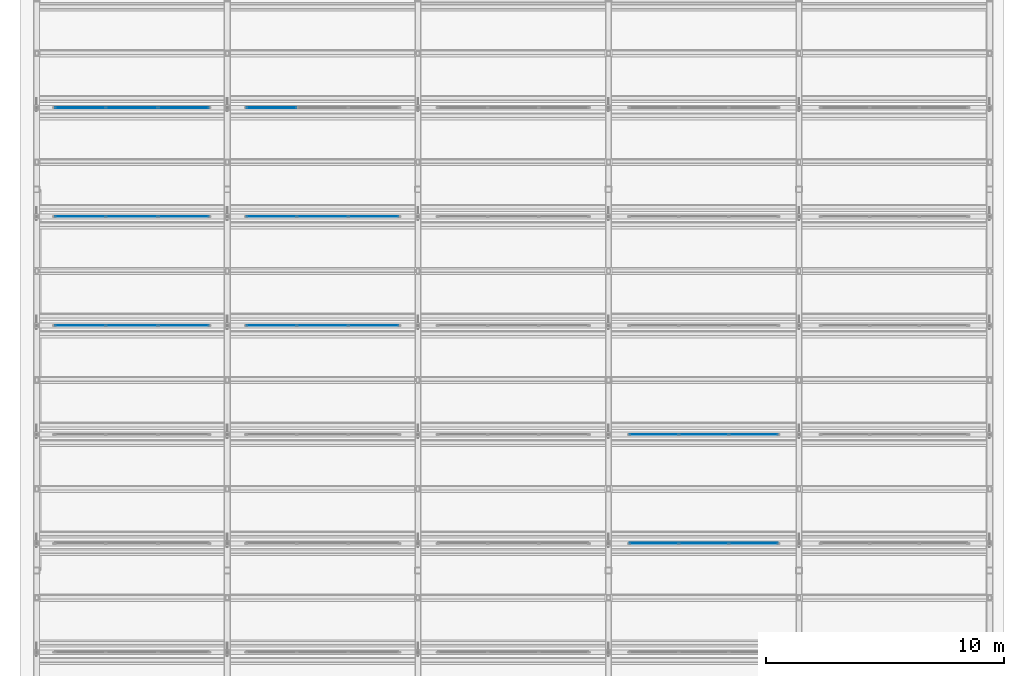
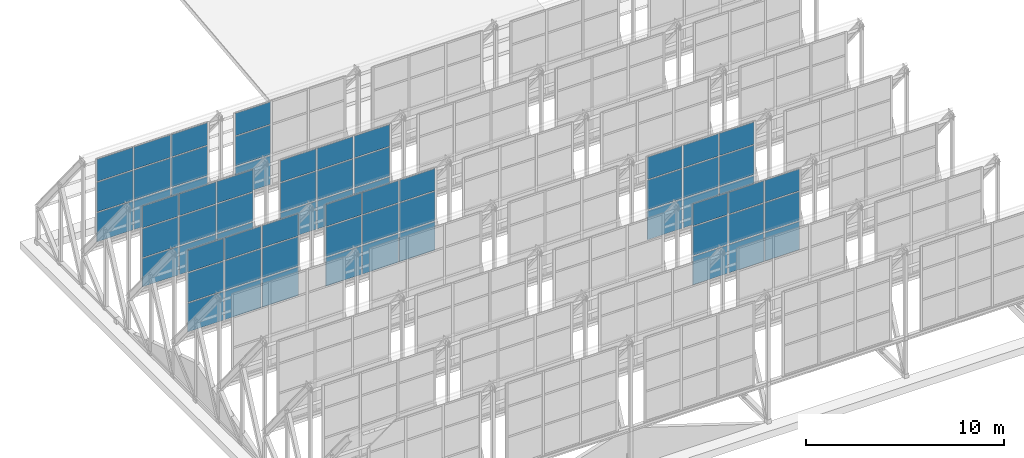
# One storey, part 28 of 34: 66 plates, 8 elements without a shape of their own.
"""IFC4 building model written with IfcOpenShell, lengths in metres."""

from ifc_helpers import new_model, si_unit, direction, frame, origin, origin_2d, place, context, subcontext, project, spatial, rectangle, extrude, material, layer, layer_set, type_object, element, aggregate, save


model = new_model("IFC4")

# Units and contexts
model_context = context("Model", 3, precision=1e-05, world=origin(), true_north=direction((0.0, 1.0)))
body_context = subcontext(model_context, "Body", "Model", "MODEL_VIEW")
ifc_project = project(units=[si_unit("LENGTHUNIT", "METRE"), si_unit("AREAUNIT", "SQUARE_METRE"), si_unit("VOLUMEUNIT", "CUBIC_METRE"), si_unit("PLANEANGLEUNIT", "RADIAN"), si_unit("MASSUNIT", "GRAM", prefix="KILO")], contexts=[model_context])

# Site, building, storey
site_placement = place(None, origin())
site = spatial("IfcSite", under=ifc_project, at=site_placement, CompositionType="ELEMENT")
building_placement = place(site_placement, origin())
building = spatial("IfcBuilding", under=site, at=building_placement, Name="Qorikala Patio Media Centre", CompositionType="ELEMENT")
storey_placement = place(building_placement, frame((0.0, 0.0, 32.699951171875)))
storey = spatial("IfcBuildingStorey", under=building, at=storey_placement, Name="RF", CompositionType="ELEMENT", Elevation=32.699951171875)

# Curtain wall, plates
ifc_material_1 = material(Name="Bronze Anodised Aluminium and Low-E Glass", Category="aluminium")
ifc_layer_1 = layer(ifc_material_1, 0.159912109375)
ifc_layer_set_1 = layer_set([ifc_layer_1], Name="Bronze Anodised Aluminium and Low-E Glass")
curtain_wall_type_1 = type_object("IfcCurtainWallType", Name="CW-SAW-632X508", PredefinedType="USERDEFINED", material=ifc_layer_set_1)
curtain_wall_1_placement = place(storey_placement, origin())
curtain_wall_1 = element("IfcCurtainWall", 1, at=curtain_wall_1_placement, inside=storey, type_object=curtain_wall_type_1, Name="RF Sawtooth Glazing 120", ObjectType="SAWTOOTH GLAZING", PredefinedType="USERDEFINED")
ifc_material_2 = material(Name="Acoustic Laminated Low-E Glass", Category="glass")
ifc_layer_2 = layer(ifc_material_2, 0.031982421875)
ifc_layer_set_2 = layer_set([ifc_layer_2], Name="Acoustic Laminated Low-E Glass")
plate_type = type_object("IfcPlateType", Name="CWP-32", PredefinedType="CURTAIN_PANEL", material=ifc_layer_set_2)
plate_1_placement = place(storey_placement, frame((28.908447265625, 12.142822265625, 2.81005859375), z_axis=(0.0, 0.0, 1.0), x_axis=(1.0, 0.0, 0.0)))
plate_1 = element("IfcPlate", 2, at=plate_1_placement, type_object=plate_type, Name="CWS632508 panel 1.1", PredefinedType="CURTAIN_PANEL", context=body_context, shape_type="SweptSolid", body=[
    extrude(rectangle(XDim=2.0166015625, YDim=0.031982421875, at=origin_2d()), origin(), (0.0, 0.0, 1.0), 1.73876953125),
])
plate_2_placement = place(storey_placement, frame((28.908447265625, 12.142822265625, 4.60888671875), z_axis=(0.0, 0.0, 1.0), x_axis=(1.0, 0.0, 0.0)))
plate_2 = element("IfcPlate", 3, at=plate_2_placement, type_object=plate_type, Name="CWS632508 panel 1.2", PredefinedType="CURTAIN_PANEL", context=body_context, shape_type="SweptSolid", body=[
    extrude(rectangle(XDim=2.0166015625, YDim=0.031982421875, at=origin_2d()), origin(), (0.0, 0.0, 1.0), 1.768798828125),
])
plate_3_placement = place(storey_placement, frame((28.908447265625, 12.142822265625, 6.4375), z_axis=(0.0, 0.0, 1.0), x_axis=(1.0, 0.0, 0.0)))
plate_3 = element("IfcPlate", 4, at=plate_3_placement, type_object=plate_type, Name="CWS632508 panel 1.3", PredefinedType="CURTAIN_PANEL", context=body_context, shape_type="SweptSolid", body=[
    extrude(rectangle(XDim=2.0166015625, YDim=0.031982421875, at=origin_2d()), origin(), (0.0, 0.0, 1.0), 1.33251953125),
])
plate_4_placement = place(storey_placement, frame((31.0, 12.142822265625, 2.81005859375), z_axis=(0.0, 0.0, 1.0), x_axis=(1.0, 0.0, 0.0)))
plate_4 = element("IfcPlate", 5, at=plate_4_placement, type_object=plate_type, Name="CWS632508 panel 2.1", PredefinedType="CURTAIN_PANEL", context=body_context, shape_type="SweptSolid", body=[
    extrude(rectangle(XDim=2.046630859375, YDim=0.031982421875, at=origin_2d()), origin(), (0.0, 0.0, 1.0), 1.73876953125),
])
plate_5_placement = place(storey_placement, frame((31.0, 12.142822265625, 4.60888671875), z_axis=(0.0, 0.0, 1.0), x_axis=(1.0, 0.0, 0.0)))
plate_5 = element("IfcPlate", 6, at=plate_5_placement, type_object=plate_type, Name="CWS632508 panel 2.2", PredefinedType="CURTAIN_PANEL", context=body_context, shape_type="SweptSolid", body=[
    extrude(rectangle(XDim=2.046630859375, YDim=0.031982421875, at=origin_2d()), origin(), (0.0, 0.0, 1.0), 1.768798828125),
])
plate_6_placement = place(storey_placement, frame((31.0, 12.142822265625, 6.4375), z_axis=(0.0, 0.0, 1.0), x_axis=(1.0, 0.0, 0.0)))
plate_6 = element("IfcPlate", 7, at=plate_6_placement, type_object=plate_type, Name="CWS632508 panel 2.3", PredefinedType="CURTAIN_PANEL", context=body_context, shape_type="SweptSolid", body=[
    extrude(rectangle(XDim=2.046630859375, YDim=0.031982421875, at=origin_2d()), origin(), (0.0, 0.0, 1.0), 1.33251953125),
])
plate_7_placement = place(storey_placement, frame((33.091552734375, 12.142822265625, 2.81005859375), z_axis=(0.0, 0.0, 1.0), x_axis=(1.0, 0.0, 0.0)))
plate_7 = element("IfcPlate", 8, at=plate_7_placement, type_object=plate_type, Name="CWS632508 panel 3.1", PredefinedType="CURTAIN_PANEL", context=body_context, shape_type="SweptSolid", body=[
    extrude(rectangle(XDim=2.0166015625, YDim=0.031982421875, at=origin_2d()), origin(), (0.0, 0.0, 1.0), 1.73876953125),
])
plate_8_placement = place(storey_placement, frame((33.091552734375, 12.142822265625, 4.60888671875), z_axis=(0.0, 0.0, 1.0), x_axis=(1.0, 0.0, 0.0)))
plate_8 = element("IfcPlate", 9, at=plate_8_placement, type_object=plate_type, Name="CWS632508 panel 3.2", PredefinedType="CURTAIN_PANEL", context=body_context, shape_type="SweptSolid", body=[
    extrude(rectangle(XDim=2.0166015625, YDim=0.031982421875, at=origin_2d()), origin(), (0.0, 0.0, 1.0), 1.768798828125),
])
plate_9_placement = place(storey_placement, frame((33.091552734375, 12.142822265625, 6.4375), z_axis=(0.0, 0.0, 1.0), x_axis=(1.0, 0.0, 0.0)))
plate_9 = element("IfcPlate", 10, at=plate_9_placement, type_object=plate_type, Name="CWS632508 panel 3.3", PredefinedType="CURTAIN_PANEL", context=body_context, shape_type="SweptSolid", body=[
    extrude(rectangle(XDim=2.0166015625, YDim=0.031982421875, at=origin_2d()), origin(), (0.0, 0.0, 1.0), 1.33251953125),
])
aggregate(curtain_wall_1, [plate_1, plate_2, plate_3, plate_4, plate_5, plate_6, plate_7, plate_8, plate_9])

ifc_layer_3 = layer(ifc_material_1, 0.159912109375)
ifc_layer_set_3 = layer_set([ifc_layer_3], Name="Bronze Anodised Aluminium and Low-E Glass")
curtain_wall_type_2 = type_object("IfcCurtainWallType", Name="CW-SAW-632X520", PredefinedType="USERDEFINED", material=ifc_layer_set_3)
curtain_wall_2_placement = place(storey_placement, origin())
curtain_wall_2 = element("IfcCurtainWall", 11, at=curtain_wall_2_placement, inside=storey, type_object=curtain_wall_type_2, Name="RF Sawtooth Glazing 125", ObjectType="SAWTOOTH GLAZING", PredefinedType="USERDEFINED")
plate_10_placement = place(storey_placement, frame((28.908447265625, 16.71435546875, 2.81005859375), z_axis=(0.0, 0.0, 1.0), x_axis=(1.0, 0.0, 0.0)))
plate_10 = element("IfcPlate", 12, at=plate_10_placement, type_object=plate_type, Name="CWS632520 panel 1.1", PredefinedType="CURTAIN_PANEL", context=body_context, shape_type="SweptSolid", body=[
    extrude(rectangle(XDim=2.0166015625, YDim=0.031982421875, at=origin_2d()), origin(), (0.0, 0.0, 1.0), 1.781982421875),
])
plate_11_placement = place(storey_placement, frame((28.908447265625, 16.71435546875, 4.652099609375), z_axis=(0.0, 0.0, 1.0), x_axis=(1.0, 0.0, 0.0)))
plate_11 = element("IfcPlate", 13, at=plate_11_placement, type_object=plate_type, Name="CWS632520 panel 1.2", PredefinedType="CURTAIN_PANEL", context=body_context, shape_type="SweptSolid", body=[
    extrude(rectangle(XDim=2.0166015625, YDim=0.031982421875, at=origin_2d()), origin(), (0.0, 0.0, 1.0), 1.81201171875),
])
plate_12_placement = place(storey_placement, frame((28.908447265625, 16.71435546875, 6.52392578125), z_axis=(0.0, 0.0, 1.0), x_axis=(1.0, 0.0, 0.0)))
plate_12 = element("IfcPlate", 14, at=plate_12_placement, type_object=plate_type, Name="CWS632520 panel 1.3", PredefinedType="CURTAIN_PANEL", context=body_context, shape_type="SweptSolid", body=[
    extrude(rectangle(XDim=2.0166015625, YDim=0.031982421875, at=origin_2d()), origin(), (0.0, 0.0, 1.0), 1.365966796875),
])
plate_13_placement = place(storey_placement, frame((31.0, 16.71435546875, 2.81005859375), z_axis=(0.0, 0.0, 1.0), x_axis=(1.0, 0.0, 0.0)))
plate_13 = element("IfcPlate", 15, at=plate_13_placement, type_object=plate_type, Name="CWS632520 panel 2.1", PredefinedType="CURTAIN_PANEL", context=body_context, shape_type="SweptSolid", body=[
    extrude(rectangle(XDim=2.046630859375, YDim=0.031982421875, at=origin_2d()), origin(), (0.0, 0.0, 1.0), 1.781982421875),
])
plate_14_placement = place(storey_placement, frame((31.0, 16.71435546875, 4.652099609375), z_axis=(0.0, 0.0, 1.0), x_axis=(1.0, 0.0, 0.0)))
plate_14 = element("IfcPlate", 16, at=plate_14_placement, type_object=plate_type, Name="CWS632520 panel 2.2", PredefinedType="CURTAIN_PANEL", context=body_context, shape_type="SweptSolid", body=[
    extrude(rectangle(XDim=2.046630859375, YDim=0.031982421875, at=origin_2d()), origin(), (0.0, 0.0, 1.0), 1.81201171875),
])
plate_15_placement = place(storey_placement, frame((31.0, 16.71435546875, 6.52392578125), z_axis=(0.0, 0.0, 1.0), x_axis=(1.0, 0.0, 0.0)))
plate_15 = element("IfcPlate", 17, at=plate_15_placement, type_object=plate_type, Name="CWS632520 panel 2.3", PredefinedType="CURTAIN_PANEL", context=body_context, shape_type="SweptSolid", body=[
    extrude(rectangle(XDim=2.046630859375, YDim=0.031982421875, at=origin_2d()), origin(), (0.0, 0.0, 1.0), 1.365966796875),
])
plate_16_placement = place(storey_placement, frame((33.091552734375, 16.71435546875, 2.81005859375), z_axis=(0.0, 0.0, 1.0), x_axis=(1.0, 0.0, 0.0)))
plate_16 = element("IfcPlate", 18, at=plate_16_placement, type_object=plate_type, Name="CWS632520 panel 3.1", PredefinedType="CURTAIN_PANEL", context=body_context, shape_type="SweptSolid", body=[
    extrude(rectangle(XDim=2.0166015625, YDim=0.031982421875, at=origin_2d()), origin(), (0.0, 0.0, 1.0), 1.781982421875),
])
plate_17_placement = place(storey_placement, frame((33.091552734375, 16.71435546875, 4.652099609375), z_axis=(0.0, 0.0, 1.0), x_axis=(1.0, 0.0, 0.0)))
plate_17 = element("IfcPlate", 19, at=plate_17_placement, type_object=plate_type, Name="CWS632520 panel 3.2", PredefinedType="CURTAIN_PANEL", context=body_context, shape_type="SweptSolid", body=[
    extrude(rectangle(XDim=2.0166015625, YDim=0.031982421875, at=origin_2d()), origin(), (0.0, 0.0, 1.0), 1.81201171875),
])
plate_18_placement = place(storey_placement, frame((33.091552734375, 16.71435546875, 6.52392578125), z_axis=(0.0, 0.0, 1.0), x_axis=(1.0, 0.0, 0.0)))
plate_18 = element("IfcPlate", 20, at=plate_18_placement, type_object=plate_type, Name="CWS632520 panel 3.3", PredefinedType="CURTAIN_PANEL", context=body_context, shape_type="SweptSolid", body=[
    extrude(rectangle(XDim=2.0166015625, YDim=0.031982421875, at=origin_2d()), origin(), (0.0, 0.0, 1.0), 1.365966796875),
])
aggregate(curtain_wall_2, [plate_10, plate_11, plate_12, plate_13, plate_14, plate_15, plate_16, plate_17, plate_18])

ifc_layer_4 = layer(ifc_material_1, 0.159912109375)
ifc_layer_set_4 = layer_set([ifc_layer_4], Name="Bronze Anodised Aluminium and Low-E Glass")
curtain_wall_type_3 = type_object("IfcCurtainWallType", Name="CW-SAW-656X514", PredefinedType="USERDEFINED", material=ifc_layer_set_4)
curtain_wall_3_placement = place(storey_placement, origin())
curtain_wall_3 = element("IfcCurtainWall", 21, at=curtain_wall_3_placement, inside=storey, type_object=curtain_wall_type_3, Name="RF Sawtooth Glazing 127", ObjectType="SAWTOOTH GLAZING", PredefinedType="USERDEFINED")
plate_19_placement = place(storey_placement, frame((4.828369140625, 21.28564453125, 2.81005859375), z_axis=(0.0, 0.0, 1.0), x_axis=(1.0, 0.0, 0.0)))
plate_19 = element("IfcPlate", 22, at=plate_19_placement, type_object=plate_type, Name="CWS656514 panel 1.1", PredefinedType="CURTAIN_PANEL", context=body_context, shape_type="SweptSolid", body=[
    extrude(rectangle(XDim=2.0966796875, YDim=0.031982421875, at=origin_2d()), origin(), (0.0, 0.0, 1.0), 1.760498046875),
])
plate_20_placement = place(storey_placement, frame((4.828369140625, 21.28564453125, 4.63037109375), z_axis=(0.0, 0.0, 1.0), x_axis=(1.0, 0.0, 0.0)))
plate_20 = element("IfcPlate", 23, at=plate_20_placement, type_object=plate_type, Name="CWS656514 panel 1.2", PredefinedType="CURTAIN_PANEL", context=body_context, shape_type="SweptSolid", body=[
    extrude(rectangle(XDim=2.0966796875, YDim=0.031982421875, at=origin_2d()), origin(), (0.0, 0.0, 1.0), 1.790283203125),
])
plate_21_placement = place(storey_placement, frame((4.828369140625, 21.28564453125, 6.48095703125), z_axis=(0.0, 0.0, 1.0), x_axis=(1.0, 0.0, 0.0)))
plate_21 = element("IfcPlate", 24, at=plate_21_placement, type_object=plate_type, Name="CWS656514 panel 1.3", PredefinedType="CURTAIN_PANEL", context=body_context, shape_type="SweptSolid", body=[
    extrude(rectangle(XDim=2.0966796875, YDim=0.031982421875, at=origin_2d()), origin(), (0.0, 0.0, 1.0), 1.34912109375),
])
plate_22_placement = place(storey_placement, frame((7.0, 21.28564453125, 2.81005859375), z_axis=(0.0, 0.0, 1.0), x_axis=(1.0, 0.0, 0.0)))
plate_22 = element("IfcPlate", 25, at=plate_22_placement, type_object=plate_type, Name="CWS656514 panel 2.1", PredefinedType="CURTAIN_PANEL", context=body_context, shape_type="SweptSolid", body=[
    extrude(rectangle(XDim=2.126708984375, YDim=0.031982421875, at=origin_2d()), origin(), (0.0, 0.0, 1.0), 1.760498046875),
])
plate_23_placement = place(storey_placement, frame((7.0, 21.28564453125, 4.63037109375), z_axis=(0.0, 0.0, 1.0), x_axis=(1.0, 0.0, 0.0)))
plate_23 = element("IfcPlate", 26, at=plate_23_placement, type_object=plate_type, Name="CWS656514 panel 2.2", PredefinedType="CURTAIN_PANEL", context=body_context, shape_type="SweptSolid", body=[
    extrude(rectangle(XDim=2.126708984375, YDim=0.031982421875, at=origin_2d()), origin(), (0.0, 0.0, 1.0), 1.790283203125),
])
plate_24_placement = place(storey_placement, frame((7.0, 21.28564453125, 6.48095703125), z_axis=(0.0, 0.0, 1.0), x_axis=(1.0, 0.0, 0.0)))
plate_24 = element("IfcPlate", 27, at=plate_24_placement, type_object=plate_type, Name="CWS656514 panel 2.3", PredefinedType="CURTAIN_PANEL", context=body_context, shape_type="SweptSolid", body=[
    extrude(rectangle(XDim=2.126708984375, YDim=0.031982421875, at=origin_2d()), origin(), (0.0, 0.0, 1.0), 1.34912109375),
])
plate_25_placement = place(storey_placement, frame((9.171630859375, 21.28564453125, 2.81005859375), z_axis=(0.0, 0.0, 1.0), x_axis=(1.0, 0.0, 0.0)))
plate_25 = element("IfcPlate", 28, at=plate_25_placement, type_object=plate_type, Name="CWS656514 panel 3.1", PredefinedType="CURTAIN_PANEL", context=body_context, shape_type="SweptSolid", body=[
    extrude(rectangle(XDim=2.0966796875, YDim=0.031982421875, at=origin_2d()), origin(), (0.0, 0.0, 1.0), 1.760498046875),
])
plate_26_placement = place(storey_placement, frame((9.171630859375, 21.28564453125, 4.63037109375), z_axis=(0.0, 0.0, 1.0), x_axis=(1.0, 0.0, 0.0)))
plate_26 = element("IfcPlate", 29, at=plate_26_placement, type_object=plate_type, Name="CWS656514 panel 3.2", PredefinedType="CURTAIN_PANEL", context=body_context, shape_type="SweptSolid", body=[
    extrude(rectangle(XDim=2.0966796875, YDim=0.031982421875, at=origin_2d()), origin(), (0.0, 0.0, 1.0), 1.790283203125),
])
plate_27_placement = place(storey_placement, frame((9.171630859375, 21.28564453125, 6.48095703125), z_axis=(0.0, 0.0, 1.0), x_axis=(1.0, 0.0, 0.0)))
plate_27 = element("IfcPlate", 30, at=plate_27_placement, type_object=plate_type, Name="CWS656514 panel 3.3", PredefinedType="CURTAIN_PANEL", context=body_context, shape_type="SweptSolid", body=[
    extrude(rectangle(XDim=2.0966796875, YDim=0.031982421875, at=origin_2d()), origin(), (0.0, 0.0, 1.0), 1.34912109375),
])
aggregate(curtain_wall_3, [plate_19, plate_20, plate_21, plate_22, plate_23, plate_24, plate_25, plate_26, plate_27])

ifc_layer_5 = layer(ifc_material_1, 0.159912109375)
ifc_layer_set_5 = layer_set([ifc_layer_5], Name="Bronze Anodised Aluminium and Low-E Glass")
curtain_wall_type_4 = type_object("IfcCurtainWallType", Name="CW-SAW-648X514", PredefinedType="USERDEFINED", material=ifc_layer_set_5)
curtain_wall_4_placement = place(storey_placement, origin())
curtain_wall_4 = element("IfcCurtainWall", 31, at=curtain_wall_4_placement, inside=storey, type_object=curtain_wall_type_4, Name="RF Sawtooth Glazing 128", ObjectType="SAWTOOTH GLAZING", PredefinedType="USERDEFINED")
plate_28_placement = place(storey_placement, frame((12.85498046875, 21.28564453125, 2.81005859375), z_axis=(0.0, 0.0, 1.0), x_axis=(1.0, 0.0, 0.0)))
plate_28 = element("IfcPlate", 32, at=plate_28_placement, type_object=plate_type, Name="CWS648514 panel 1.1", PredefinedType="CURTAIN_PANEL", context=body_context, shape_type="SweptSolid", body=[
    extrude(rectangle(XDim=2.070068359375, YDim=0.031982421875, at=origin_2d()), origin(), (0.0, 0.0, 1.0), 1.760498046875),
])
plate_29_placement = place(storey_placement, frame((12.85498046875, 21.28564453125, 4.63037109375), z_axis=(0.0, 0.0, 1.0), x_axis=(1.0, 0.0, 0.0)))
plate_29 = element("IfcPlate", 33, at=plate_29_placement, type_object=plate_type, Name="CWS648514 panel 1.2", PredefinedType="CURTAIN_PANEL", context=body_context, shape_type="SweptSolid", body=[
    extrude(rectangle(XDim=2.070068359375, YDim=0.031982421875, at=origin_2d()), origin(), (0.0, 0.0, 1.0), 1.790283203125),
])
plate_30_placement = place(storey_placement, frame((12.85498046875, 21.28564453125, 6.48095703125), z_axis=(0.0, 0.0, 1.0), x_axis=(1.0, 0.0, 0.0)))
plate_30 = element("IfcPlate", 34, at=plate_30_placement, type_object=plate_type, Name="CWS648514 panel 1.3", PredefinedType="CURTAIN_PANEL", context=body_context, shape_type="SweptSolid", body=[
    extrude(rectangle(XDim=2.070068359375, YDim=0.031982421875, at=origin_2d()), origin(), (0.0, 0.0, 1.0), 1.34912109375),
])
plate_31_placement = place(storey_placement, frame((15.0, 21.28564453125, 2.81005859375), z_axis=(0.0, 0.0, 1.0), x_axis=(1.0, 0.0, 0.0)))
plate_31 = element("IfcPlate", 35, at=plate_31_placement, type_object=plate_type, Name="CWS648514 panel 2.1", PredefinedType="CURTAIN_PANEL", context=body_context, shape_type="SweptSolid", body=[
    extrude(rectangle(XDim=2.10009765625, YDim=0.031982421875, at=origin_2d()), origin(), (0.0, 0.0, 1.0), 1.760498046875),
])
plate_32_placement = place(storey_placement, frame((15.0, 21.28564453125, 4.63037109375), z_axis=(0.0, 0.0, 1.0), x_axis=(1.0, 0.0, 0.0)))
plate_32 = element("IfcPlate", 36, at=plate_32_placement, type_object=plate_type, Name="CWS648514 panel 2.2", PredefinedType="CURTAIN_PANEL", context=body_context, shape_type="SweptSolid", body=[
    extrude(rectangle(XDim=2.10009765625, YDim=0.031982421875, at=origin_2d()), origin(), (0.0, 0.0, 1.0), 1.790283203125),
])
plate_33_placement = place(storey_placement, frame((15.0, 21.28564453125, 6.48095703125), z_axis=(0.0, 0.0, 1.0), x_axis=(1.0, 0.0, 0.0)))
plate_33 = element("IfcPlate", 37, at=plate_33_placement, type_object=plate_type, Name="CWS648514 panel 2.3", PredefinedType="CURTAIN_PANEL", context=body_context, shape_type="SweptSolid", body=[
    extrude(rectangle(XDim=2.10009765625, YDim=0.031982421875, at=origin_2d()), origin(), (0.0, 0.0, 1.0), 1.34912109375),
])
plate_34_placement = place(storey_placement, frame((17.14501953125, 21.28564453125, 2.81005859375), z_axis=(0.0, 0.0, 1.0), x_axis=(1.0, 0.0, 0.0)))
plate_34 = element("IfcPlate", 38, at=plate_34_placement, type_object=plate_type, Name="CWS648514 panel 3.1", PredefinedType="CURTAIN_PANEL", context=body_context, shape_type="SweptSolid", body=[
    extrude(rectangle(XDim=2.070068359375, YDim=0.031982421875, at=origin_2d()), origin(), (0.0, 0.0, 1.0), 1.760498046875),
])
plate_35_placement = place(storey_placement, frame((17.14501953125, 21.28564453125, 4.63037109375), z_axis=(0.0, 0.0, 1.0), x_axis=(1.0, 0.0, 0.0)))
plate_35 = element("IfcPlate", 39, at=plate_35_placement, type_object=plate_type, Name="CWS648514 panel 3.2", PredefinedType="CURTAIN_PANEL", context=body_context, shape_type="SweptSolid", body=[
    extrude(rectangle(XDim=2.070068359375, YDim=0.031982421875, at=origin_2d()), origin(), (0.0, 0.0, 1.0), 1.790283203125),
])
plate_36_placement = place(storey_placement, frame((17.14501953125, 21.28564453125, 6.48095703125), z_axis=(0.0, 0.0, 1.0), x_axis=(1.0, 0.0, 0.0)))
plate_36 = element("IfcPlate", 40, at=plate_36_placement, type_object=plate_type, Name="CWS648514 panel 3.3", PredefinedType="CURTAIN_PANEL", context=body_context, shape_type="SweptSolid", body=[
    extrude(rectangle(XDim=2.070068359375, YDim=0.031982421875, at=origin_2d()), origin(), (0.0, 0.0, 1.0), 1.34912109375),
])
aggregate(curtain_wall_4, [plate_28, plate_29, plate_30, plate_31, plate_32, plate_33, plate_34, plate_35, plate_36])

ifc_layer_6 = layer(ifc_material_1, 0.159912109375)
ifc_layer_set_6 = layer_set([ifc_layer_6], Name="Bronze Anodised Aluminium and Low-E Glass")
curtain_wall_type_5 = type_object("IfcCurtainWallType", Name="CW-SAW-656X508", PredefinedType="USERDEFINED", material=ifc_layer_set_6)
curtain_wall_5_placement = place(storey_placement, origin())
curtain_wall_5 = element("IfcCurtainWall", 41, at=curtain_wall_5_placement, inside=storey, type_object=curtain_wall_type_5, Name="RF Sawtooth Glazing 132", ObjectType="SAWTOOTH GLAZING", PredefinedType="USERDEFINED")
plate_37_placement = place(storey_placement, frame((4.828369140625, 25.857177734375, 2.81005859375), z_axis=(0.0, 0.0, 1.0), x_axis=(1.0, 0.0, 0.0)))
plate_37 = element("IfcPlate", 42, at=plate_37_placement, type_object=plate_type, Name="CWS656508 panel 1.1", PredefinedType="CURTAIN_PANEL", context=body_context, shape_type="SweptSolid", body=[
    extrude(rectangle(XDim=2.0966796875, YDim=0.031982421875, at=origin_2d()), origin(), (0.0, 0.0, 1.0), 1.73876953125),
])
plate_38_placement = place(storey_placement, frame((4.828369140625, 25.857177734375, 4.60888671875), z_axis=(0.0, 0.0, 1.0), x_axis=(1.0, 0.0, 0.0)))
plate_38 = element("IfcPlate", 43, at=plate_38_placement, type_object=plate_type, Name="CWS656508 panel 1.2", PredefinedType="CURTAIN_PANEL", context=body_context, shape_type="SweptSolid", body=[
    extrude(rectangle(XDim=2.0966796875, YDim=0.031982421875, at=origin_2d()), origin(), (0.0, 0.0, 1.0), 1.768798828125),
])
plate_39_placement = place(storey_placement, frame((4.828369140625, 25.857177734375, 6.4375), z_axis=(0.0, 0.0, 1.0), x_axis=(1.0, 0.0, 0.0)))
plate_39 = element("IfcPlate", 44, at=plate_39_placement, type_object=plate_type, Name="CWS656508 panel 1.3", PredefinedType="CURTAIN_PANEL", context=body_context, shape_type="SweptSolid", body=[
    extrude(rectangle(XDim=2.0966796875, YDim=0.031982421875, at=origin_2d()), origin(), (0.0, 0.0, 1.0), 1.33251953125),
])
plate_40_placement = place(storey_placement, frame((7.0, 25.857177734375, 2.81005859375), z_axis=(0.0, 0.0, 1.0), x_axis=(1.0, 0.0, 0.0)))
plate_40 = element("IfcPlate", 45, at=plate_40_placement, type_object=plate_type, Name="CWS656508 panel 2.1", PredefinedType="CURTAIN_PANEL", context=body_context, shape_type="SweptSolid", body=[
    extrude(rectangle(XDim=2.126708984375, YDim=0.031982421875, at=origin_2d()), origin(), (0.0, 0.0, 1.0), 1.73876953125),
])
plate_41_placement = place(storey_placement, frame((7.0, 25.857177734375, 4.60888671875), z_axis=(0.0, 0.0, 1.0), x_axis=(1.0, 0.0, 0.0)))
plate_41 = element("IfcPlate", 46, at=plate_41_placement, type_object=plate_type, Name="CWS656508 panel 2.2", PredefinedType="CURTAIN_PANEL", context=body_context, shape_type="SweptSolid", body=[
    extrude(rectangle(XDim=2.126708984375, YDim=0.031982421875, at=origin_2d()), origin(), (0.0, 0.0, 1.0), 1.768798828125),
])
plate_42_placement = place(storey_placement, frame((7.0, 25.857177734375, 6.4375), z_axis=(0.0, 0.0, 1.0), x_axis=(1.0, 0.0, 0.0)))
plate_42 = element("IfcPlate", 47, at=plate_42_placement, type_object=plate_type, Name="CWS656508 panel 2.3", PredefinedType="CURTAIN_PANEL", context=body_context, shape_type="SweptSolid", body=[
    extrude(rectangle(XDim=2.126708984375, YDim=0.031982421875, at=origin_2d()), origin(), (0.0, 0.0, 1.0), 1.33251953125),
])
plate_43_placement = place(storey_placement, frame((9.171630859375, 25.857177734375, 2.81005859375), z_axis=(0.0, 0.0, 1.0), x_axis=(1.0, 0.0, 0.0)))
plate_43 = element("IfcPlate", 48, at=plate_43_placement, type_object=plate_type, Name="CWS656508 panel 3.1", PredefinedType="CURTAIN_PANEL", context=body_context, shape_type="SweptSolid", body=[
    extrude(rectangle(XDim=2.0966796875, YDim=0.031982421875, at=origin_2d()), origin(), (0.0, 0.0, 1.0), 1.73876953125),
])
plate_44_placement = place(storey_placement, frame((9.171630859375, 25.857177734375, 4.60888671875), z_axis=(0.0, 0.0, 1.0), x_axis=(1.0, 0.0, 0.0)))
plate_44 = element("IfcPlate", 49, at=plate_44_placement, type_object=plate_type, Name="CWS656508 panel 3.2", PredefinedType="CURTAIN_PANEL", context=body_context, shape_type="SweptSolid", body=[
    extrude(rectangle(XDim=2.0966796875, YDim=0.031982421875, at=origin_2d()), origin(), (0.0, 0.0, 1.0), 1.768798828125),
])
plate_45_placement = place(storey_placement, frame((9.171630859375, 25.857177734375, 6.4375), z_axis=(0.0, 0.0, 1.0), x_axis=(1.0, 0.0, 0.0)))
plate_45 = element("IfcPlate", 50, at=plate_45_placement, type_object=plate_type, Name="CWS656508 panel 3.3", PredefinedType="CURTAIN_PANEL", context=body_context, shape_type="SweptSolid", body=[
    extrude(rectangle(XDim=2.0966796875, YDim=0.031982421875, at=origin_2d()), origin(), (0.0, 0.0, 1.0), 1.33251953125),
])
aggregate(curtain_wall_5, [plate_37, plate_38, plate_39, plate_40, plate_41, plate_42, plate_43, plate_44, plate_45])

ifc_layer_7 = layer(ifc_material_1, 0.159912109375)
ifc_layer_set_7 = layer_set([ifc_layer_7], Name="Bronze Anodised Aluminium and Low-E Glass")
curtain_wall_type_6 = type_object("IfcCurtainWallType", Name="CW-SAW-648X508", PredefinedType="USERDEFINED", material=ifc_layer_set_7)
curtain_wall_6_placement = place(storey_placement, origin())
curtain_wall_6 = element("IfcCurtainWall", 51, at=curtain_wall_6_placement, inside=storey, type_object=curtain_wall_type_6, Name="RF Sawtooth Glazing 133", ObjectType="SAWTOOTH GLAZING", PredefinedType="USERDEFINED")
plate_46_placement = place(storey_placement, frame((12.85498046875, 25.857177734375, 2.81005859375), z_axis=(0.0, 0.0, 1.0), x_axis=(1.0, 0.0, 0.0)))
plate_46 = element("IfcPlate", 52, at=plate_46_placement, type_object=plate_type, Name="CWS648508 panel 1.1", PredefinedType="CURTAIN_PANEL", context=body_context, shape_type="SweptSolid", body=[
    extrude(rectangle(XDim=2.070068359375, YDim=0.031982421875, at=origin_2d()), origin(), (0.0, 0.0, 1.0), 1.73876953125),
])
plate_47_placement = place(storey_placement, frame((12.85498046875, 25.857177734375, 4.60888671875), z_axis=(0.0, 0.0, 1.0), x_axis=(1.0, 0.0, 0.0)))
plate_47 = element("IfcPlate", 53, at=plate_47_placement, type_object=plate_type, Name="CWS648508 panel 1.2", PredefinedType="CURTAIN_PANEL", context=body_context, shape_type="SweptSolid", body=[
    extrude(rectangle(XDim=2.070068359375, YDim=0.031982421875, at=origin_2d()), origin(), (0.0, 0.0, 1.0), 1.768798828125),
])
plate_48_placement = place(storey_placement, frame((12.85498046875, 25.857177734375, 6.4375), z_axis=(0.0, 0.0, 1.0), x_axis=(1.0, 0.0, 0.0)))
plate_48 = element("IfcPlate", 54, at=plate_48_placement, type_object=plate_type, Name="CWS648508 panel 1.3", PredefinedType="CURTAIN_PANEL", context=body_context, shape_type="SweptSolid", body=[
    extrude(rectangle(XDim=2.070068359375, YDim=0.031982421875, at=origin_2d()), origin(), (0.0, 0.0, 1.0), 1.33251953125),
])
plate_49_placement = place(storey_placement, frame((15.0, 25.857177734375, 2.81005859375), z_axis=(0.0, 0.0, 1.0), x_axis=(1.0, 0.0, 0.0)))
plate_49 = element("IfcPlate", 55, at=plate_49_placement, type_object=plate_type, Name="CWS648508 panel 2.1", PredefinedType="CURTAIN_PANEL", context=body_context, shape_type="SweptSolid", body=[
    extrude(rectangle(XDim=2.10009765625, YDim=0.031982421875, at=origin_2d()), origin(), (0.0, 0.0, 1.0), 1.73876953125),
])
plate_50_placement = place(storey_placement, frame((15.0, 25.857177734375, 4.60888671875), z_axis=(0.0, 0.0, 1.0), x_axis=(1.0, 0.0, 0.0)))
plate_50 = element("IfcPlate", 56, at=plate_50_placement, type_object=plate_type, Name="CWS648508 panel 2.2", PredefinedType="CURTAIN_PANEL", context=body_context, shape_type="SweptSolid", body=[
    extrude(rectangle(XDim=2.10009765625, YDim=0.031982421875, at=origin_2d()), origin(), (0.0, 0.0, 1.0), 1.768798828125),
])
plate_51_placement = place(storey_placement, frame((15.0, 25.857177734375, 6.4375), z_axis=(0.0, 0.0, 1.0), x_axis=(1.0, 0.0, 0.0)))
plate_51 = element("IfcPlate", 57, at=plate_51_placement, type_object=plate_type, Name="CWS648508 panel 2.3", PredefinedType="CURTAIN_PANEL", context=body_context, shape_type="SweptSolid", body=[
    extrude(rectangle(XDim=2.10009765625, YDim=0.031982421875, at=origin_2d()), origin(), (0.0, 0.0, 1.0), 1.33251953125),
])
plate_52_placement = place(storey_placement, frame((17.14501953125, 25.857177734375, 2.81005859375), z_axis=(0.0, 0.0, 1.0), x_axis=(1.0, 0.0, 0.0)))
plate_52 = element("IfcPlate", 58, at=plate_52_placement, type_object=plate_type, Name="CWS648508 panel 3.1", PredefinedType="CURTAIN_PANEL", context=body_context, shape_type="SweptSolid", body=[
    extrude(rectangle(XDim=2.070068359375, YDim=0.031982421875, at=origin_2d()), origin(), (0.0, 0.0, 1.0), 1.73876953125),
])
plate_53_placement = place(storey_placement, frame((17.14501953125, 25.857177734375, 4.60888671875), z_axis=(0.0, 0.0, 1.0), x_axis=(1.0, 0.0, 0.0)))
plate_53 = element("IfcPlate", 59, at=plate_53_placement, type_object=plate_type, Name="CWS648508 panel 3.2", PredefinedType="CURTAIN_PANEL", context=body_context, shape_type="SweptSolid", body=[
    extrude(rectangle(XDim=2.070068359375, YDim=0.031982421875, at=origin_2d()), origin(), (0.0, 0.0, 1.0), 1.768798828125),
])
plate_54_placement = place(storey_placement, frame((17.14501953125, 25.857177734375, 6.4375), z_axis=(0.0, 0.0, 1.0), x_axis=(1.0, 0.0, 0.0)))
plate_54 = element("IfcPlate", 60, at=plate_54_placement, type_object=plate_type, Name="CWS648508 panel 3.3", PredefinedType="CURTAIN_PANEL", context=body_context, shape_type="SweptSolid", body=[
    extrude(rectangle(XDim=2.070068359375, YDim=0.031982421875, at=origin_2d()), origin(), (0.0, 0.0, 1.0), 1.33251953125),
])
aggregate(curtain_wall_6, [plate_46, plate_47, plate_48, plate_49, plate_50, plate_51, plate_52, plate_53, plate_54])

ifc_layer_8 = layer(ifc_material_1, 0.159912109375)
ifc_layer_set_8 = layer_set([ifc_layer_8], Name="Bronze Anodised Aluminium and Low-E Glass")
curtain_wall_type_7 = type_object("IfcCurtainWallType", Name="CW-SAW-656X520", PredefinedType="USERDEFINED", material=ifc_layer_set_8)
curtain_wall_7_placement = place(storey_placement, origin())
curtain_wall_7 = element("IfcCurtainWall", 61, at=curtain_wall_7_placement, inside=storey, type_object=curtain_wall_type_7, Name="RF Sawtooth Glazing 137", ObjectType="SAWTOOTH GLAZING", PredefinedType="USERDEFINED")
plate_55_placement = place(storey_placement, frame((4.828369140625, 30.4287109375, 2.81005859375), z_axis=(0.0, 0.0, 1.0), x_axis=(1.0, 0.0, 0.0)))
plate_55 = element("IfcPlate", 62, at=plate_55_placement, type_object=plate_type, Name="CWS656520 panel 1.1", PredefinedType="CURTAIN_PANEL", context=body_context, shape_type="SweptSolid", body=[
    extrude(rectangle(XDim=2.0966796875, YDim=0.031982421875, at=origin_2d()), origin(), (0.0, 0.0, 1.0), 1.781982421875),
])
plate_56_placement = place(storey_placement, frame((4.828369140625, 30.4287109375, 4.652099609375), z_axis=(0.0, 0.0, 1.0), x_axis=(1.0, 0.0, 0.0)))
plate_56 = element("IfcPlate", 63, at=plate_56_placement, type_object=plate_type, Name="CWS656520 panel 1.2", PredefinedType="CURTAIN_PANEL", context=body_context, shape_type="SweptSolid", body=[
    extrude(rectangle(XDim=2.0966796875, YDim=0.031982421875, at=origin_2d()), origin(), (0.0, 0.0, 1.0), 1.81201171875),
])
plate_57_placement = place(storey_placement, frame((4.828369140625, 30.4287109375, 6.52392578125), z_axis=(0.0, 0.0, 1.0), x_axis=(1.0, 0.0, 0.0)))
plate_57 = element("IfcPlate", 64, at=plate_57_placement, type_object=plate_type, Name="CWS656520 panel 1.3", PredefinedType="CURTAIN_PANEL", context=body_context, shape_type="SweptSolid", body=[
    extrude(rectangle(XDim=2.0966796875, YDim=0.031982421875, at=origin_2d()), origin(), (0.0, 0.0, 1.0), 1.365966796875),
])
plate_58_placement = place(storey_placement, frame((7.0, 30.4287109375, 2.81005859375), z_axis=(0.0, 0.0, 1.0), x_axis=(1.0, 0.0, 0.0)))
plate_58 = element("IfcPlate", 65, at=plate_58_placement, type_object=plate_type, Name="CWS656520 panel 2.1", PredefinedType="CURTAIN_PANEL", context=body_context, shape_type="SweptSolid", body=[
    extrude(rectangle(XDim=2.126708984375, YDim=0.031982421875, at=origin_2d()), origin(), (0.0, 0.0, 1.0), 1.781982421875),
])
plate_59_placement = place(storey_placement, frame((7.0, 30.4287109375, 4.652099609375), z_axis=(0.0, 0.0, 1.0), x_axis=(1.0, 0.0, 0.0)))
plate_59 = element("IfcPlate", 66, at=plate_59_placement, type_object=plate_type, Name="CWS656520 panel 2.2", PredefinedType="CURTAIN_PANEL", context=body_context, shape_type="SweptSolid", body=[
    extrude(rectangle(XDim=2.126708984375, YDim=0.031982421875, at=origin_2d()), origin(), (0.0, 0.0, 1.0), 1.81201171875),
])
plate_60_placement = place(storey_placement, frame((7.0, 30.4287109375, 6.52392578125), z_axis=(0.0, 0.0, 1.0), x_axis=(1.0, 0.0, 0.0)))
plate_60 = element("IfcPlate", 67, at=plate_60_placement, type_object=plate_type, Name="CWS656520 panel 2.3", PredefinedType="CURTAIN_PANEL", context=body_context, shape_type="SweptSolid", body=[
    extrude(rectangle(XDim=2.126708984375, YDim=0.031982421875, at=origin_2d()), origin(), (0.0, 0.0, 1.0), 1.365966796875),
])
plate_61_placement = place(storey_placement, frame((9.171630859375, 30.4287109375, 2.81005859375), z_axis=(0.0, 0.0, 1.0), x_axis=(1.0, 0.0, 0.0)))
plate_61 = element("IfcPlate", 68, at=plate_61_placement, type_object=plate_type, Name="CWS656520 panel 3.1", PredefinedType="CURTAIN_PANEL", context=body_context, shape_type="SweptSolid", body=[
    extrude(rectangle(XDim=2.0966796875, YDim=0.031982421875, at=origin_2d()), origin(), (0.0, 0.0, 1.0), 1.781982421875),
])
plate_62_placement = place(storey_placement, frame((9.171630859375, 30.4287109375, 4.652099609375), z_axis=(0.0, 0.0, 1.0), x_axis=(1.0, 0.0, 0.0)))
plate_62 = element("IfcPlate", 69, at=plate_62_placement, type_object=plate_type, Name="CWS656520 panel 3.2", PredefinedType="CURTAIN_PANEL", context=body_context, shape_type="SweptSolid", body=[
    extrude(rectangle(XDim=2.0966796875, YDim=0.031982421875, at=origin_2d()), origin(), (0.0, 0.0, 1.0), 1.81201171875),
])
plate_63_placement = place(storey_placement, frame((9.171630859375, 30.4287109375, 6.52392578125), z_axis=(0.0, 0.0, 1.0), x_axis=(1.0, 0.0, 0.0)))
plate_63 = element("IfcPlate", 70, at=plate_63_placement, type_object=plate_type, Name="CWS656520 panel 3.3", PredefinedType="CURTAIN_PANEL", context=body_context, shape_type="SweptSolid", body=[
    extrude(rectangle(XDim=2.0966796875, YDim=0.031982421875, at=origin_2d()), origin(), (0.0, 0.0, 1.0), 1.365966796875),
])
aggregate(curtain_wall_7, [plate_55, plate_56, plate_57, plate_58, plate_59, plate_60, plate_61, plate_62, plate_63])

ifc_layer_9 = layer(ifc_material_1, 0.159912109375)
ifc_layer_set_9 = layer_set([ifc_layer_9], Name="Bronze Anodised Aluminium and Low-E Glass")
curtain_wall_type_8 = type_object("IfcCurtainWallType", Name="CW-SAW-648X520", PredefinedType="USERDEFINED", material=ifc_layer_set_9)
curtain_wall_8_placement = place(storey_placement, origin())
curtain_wall_8 = element("IfcCurtainWall", 71, at=curtain_wall_8_placement, inside=storey, type_object=curtain_wall_type_8, Name="RF Sawtooth Glazing 138", ObjectType="SAWTOOTH GLAZING", PredefinedType="USERDEFINED")
plate_64_placement = place(storey_placement, frame((12.85498046875, 30.4287109375, 2.81005859375), z_axis=(0.0, 0.0, 1.0), x_axis=(1.0, 0.0, 0.0)))
plate_64 = element("IfcPlate", 72, at=plate_64_placement, type_object=plate_type, Name="CWS648520 panel 1.1", PredefinedType="CURTAIN_PANEL", context=body_context, shape_type="SweptSolid", body=[
    extrude(rectangle(XDim=2.070068359375, YDim=0.031982421875, at=origin_2d()), origin(), (0.0, 0.0, 1.0), 1.781982421875),
])
plate_65_placement = place(storey_placement, frame((12.85498046875, 30.4287109375, 4.652099609375), z_axis=(0.0, 0.0, 1.0), x_axis=(1.0, 0.0, 0.0)))
plate_65 = element("IfcPlate", 73, at=plate_65_placement, type_object=plate_type, Name="CWS648520 panel 1.2", PredefinedType="CURTAIN_PANEL", context=body_context, shape_type="SweptSolid", body=[
    extrude(rectangle(XDim=2.070068359375, YDim=0.031982421875, at=origin_2d()), origin(), (0.0, 0.0, 1.0), 1.81201171875),
])
plate_66_placement = place(storey_placement, frame((12.85498046875, 30.4287109375, 6.52392578125), z_axis=(0.0, 0.0, 1.0), x_axis=(1.0, 0.0, 0.0)))
plate_66 = element("IfcPlate", 74, at=plate_66_placement, type_object=plate_type, Name="CWS648520 panel 1.3", PredefinedType="CURTAIN_PANEL", context=body_context, shape_type="SweptSolid", body=[
    extrude(rectangle(XDim=2.070068359375, YDim=0.031982421875, at=origin_2d()), origin(), (0.0, 0.0, 1.0), 1.365966796875),
])
aggregate(curtain_wall_8, [plate_64, plate_65, plate_66])

save(model, "model.ifc")
